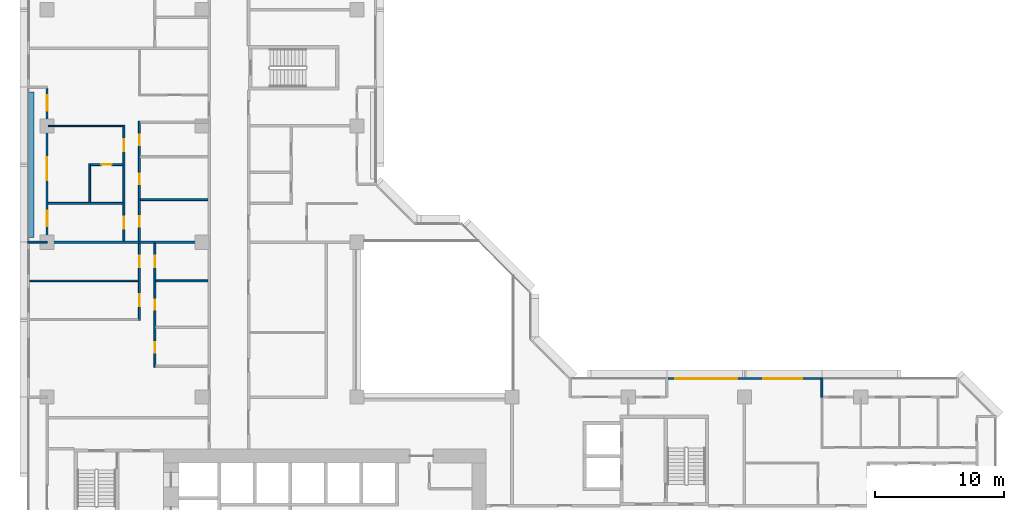
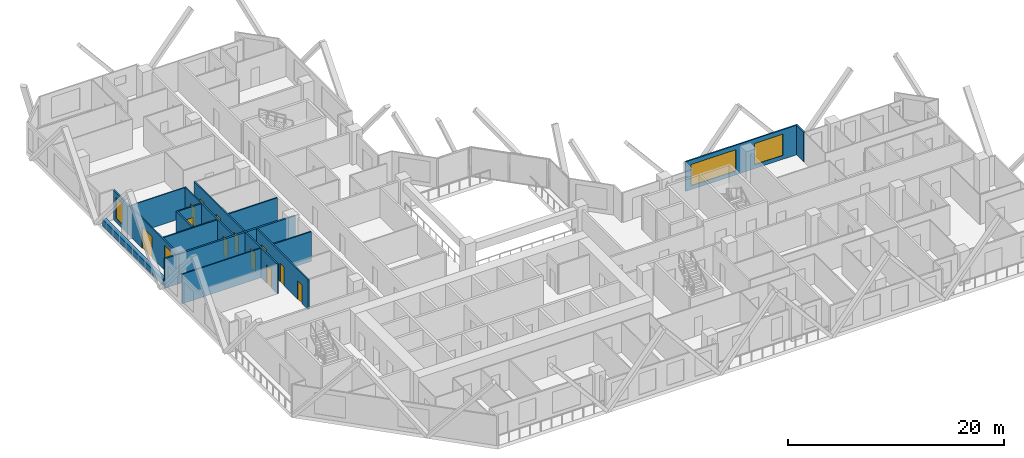
# One storey, part 8 of 15: 17 walls, 12 doors, 4 windows, 16 openings.
"""IFC4 building model written with IfcOpenShell, lengths in metres."""

from ifc_helpers import new_model, si_unit, direction, frame, frame_2d, origin, place, context, subcontext, project, spatial, rectangle, extrude, material, layer, layer_set, type_object, element, fill, save


model = new_model("IFC4")

# Units and contexts
model_context = context("Model", 3, precision=1e-05, world=origin(), true_north=direction((0.0, 1.0)))
body_context = subcontext(model_context, "Body", "Model", "MODEL_VIEW")
ifc_project = project(units=[si_unit("LENGTHUNIT", "METRE"), si_unit("AREAUNIT", "SQUARE_METRE"), si_unit("VOLUMEUNIT", "CUBIC_METRE"), si_unit("PLANEANGLEUNIT", "RADIAN"), si_unit("MASSUNIT", "GRAM", prefix="KILO")], contexts=[model_context])

# Site, building, storey
site_placement = place(None, origin())
site = spatial("IfcSite", under=ifc_project, at=site_placement, CompositionType="ELEMENT")
building_placement = place(site_placement, origin())
building = spatial("IfcBuilding", under=site, at=building_placement, Name="Chenar Terraces", CompositionType="ELEMENT")
storey_placement = place(building_placement, frame((0.0, 0.0, 41.39990234375)))
storey = spatial("IfcBuildingStorey", under=building, at=storey_placement, Name="L07", CompositionType="ELEMENT", Elevation=41.39990234375)

# Wall, openings, windows
ifc_material_1 = material(Name="Aluminium framed glazing", Category="aluminium")
ifc_layer_1 = layer(ifc_material_1, 0.14990234375)
ifc_layer_set_1 = layer_set([ifc_layer_1], Name="Aluminium framed glazing")
wall_type_1 = type_object("IfcWallType", Name="Glazed flush facade wall 150", PredefinedType="SOLIDWALL", material=ifc_layer_set_1)
wall_1_placement = place(storey_placement, frame((59.925048828125, 25.425048828125, 0.0), z_axis=(0.0, 0.0, 1.0), x_axis=(-1.0, 0.0, 0.0)))
wall_1 = element("IfcWall", 1, at=wall_1_placement, inside=storey, type_object=wall_type_1, Name="Glazed flush facade wall", PredefinedType="SOLIDWALL", context=body_context, shape_type="SweptSolid", body=[
    extrude(rectangle(XDim=11.85009765625, YDim=0.14990234375, at=frame_2d((5.925048828125, 0.0))), origin(), (0.0, 0.0, 1.0), 3.35009765625),
])
opening_1_placement = place(wall_1_placement, frame((1.46240234375, 0.0, 0.449951171875)))
opening_1 = element("IfcOpeningElement", 2, at=opening_1_placement, cuts=wall_1, Name="Opening W300x240", PredefinedType="OPENING", context=body_context, shape_type="SweptSolid", body=[
    extrude(rectangle(XDim=3.0, YDim=2.39990234375, at=frame_2d((1.5, 1.199951171875))), frame((0.0, 0.0849609375, 0.0), z_axis=(0.0, -1.0, 0.0), x_axis=(1.0, 0.0, 0.0)), (0.0, 0.0, 1.0), 0.169921875),
])
opening_2_placement = place(wall_1_placement, frame((6.487548828125, 0.0, 0.449951171875)))
opening_2 = element("IfcOpeningElement", 3, at=opening_2_placement, cuts=wall_1, Name="Opening W480x240", PredefinedType="OPENING", context=body_context, shape_type="SweptSolid", body=[
    extrude(rectangle(XDim=4.800048828125, YDim=2.39990234375, at=frame_2d((2.39990234375, 1.199951171875))), frame((0.0, 0.0849609375, 0.0), z_axis=(0.0, -1.0, 0.0), x_axis=(1.0, 0.0, 0.0)), (0.0, 0.0, 1.0), 0.169921875),
])
ifc_material_2 = material(Name="Low emissivity double glazing, aluminium frame", Category="aluminium")
window_type_1 = type_object("IfcWindowType", Name="Fixed light 3000 x 2400", PartitioningType="SINGLE_PANEL", PredefinedType="WINDOW", material=ifc_material_2)
window_1_placement = place(opening_1_placement, origin())
window_1 = element("IfcWindow", 4, at=window_1_placement, inside=storey, type_object=window_type_1, Name="Window", OverallHeight=2.39990234375, OverallWidth=3.0, PartitioningType="SINGLE_PANEL", PredefinedType="WINDOW", context=body_context, shape_type="SweptSolid", body=[
    extrude(rectangle(XDim=3.0, YDim=2.39990234375, at=frame_2d((1.5, 1.199951171875))), frame((0.0, 0.030029296875, 0.0), z_axis=(0.0, -1.0, 0.0), x_axis=(1.0, 0.0, 0.0)), (0.0, 0.0, 1.0), 0.06005859375),
])
fill(opening_1, window_1)
ifc_material_3 = material(Name="Low emissivity double glazing, aluminium frame", Category="aluminium")
window_type_2 = type_object("IfcWindowType", Name="Fixed light 4800 x 2400", PartitioningType="SINGLE_PANEL", PredefinedType="WINDOW", material=ifc_material_3)
window_2_placement = place(opening_2_placement, origin())
window_2 = element("IfcWindow", 5, at=window_2_placement, inside=storey, type_object=window_type_2, Name="Window", OverallHeight=2.39990234375, OverallWidth=4.800048828125, PartitioningType="SINGLE_PANEL", PredefinedType="WINDOW", context=body_context, shape_type="SweptSolid", body=[
    extrude(rectangle(XDim=4.800048828125, YDim=2.39990234375, at=frame_2d((2.39990234375, 1.199951171875))), frame((0.0, 0.030029296875, 0.0), z_axis=(0.0, -1.0, 0.0), x_axis=(1.0, 0.0, 0.0)), (0.0, 0.0, 1.0), 0.06005859375),
])
fill(opening_2, window_2)

# Wall, openings, windows, door
ifc_material_4 = material(Name="Aluminium framed glazing", Category="aluminium")
ifc_layer_2 = layer(ifc_material_4, 0.14990234375)
ifc_layer_set_2 = layer_set([ifc_layer_2], Name="Aluminium framed glazing")
wall_type_2 = type_object("IfcWallType", Name="Glazed loggia back wall 150", PredefinedType="SOLIDWALL", material=ifc_layer_set_2)
wall_2_placement = place(storey_placement, frame((0.0, 47.925048828125, 0.0), z_axis=(0.0, 0.0, 1.0), x_axis=(0.0, -1.0, 0.0)))
wall_2 = element("IfcWall", 6, at=wall_2_placement, inside=storey, type_object=wall_type_2, Name="Glazed loggia back wall", PredefinedType="SOLIDWALL", context=body_context, shape_type="SweptSolid", body=[
    extrude(rectangle(XDim=11.85009765625, YDim=0.14990234375, at=frame_2d((5.925048828125, 0.0))), origin(), (0.0, 0.0, 1.0), 3.35009765625),
])
opening_3_placement = place(wall_2_placement, frame((0.53759765625, 0.0, 0.449951171875)))
opening_3 = element("IfcOpeningElement", 7, at=opening_3_placement, cuts=wall_2, Name="Opening W120x240", PredefinedType="OPENING", context=body_context, shape_type="SweptSolid", body=[
    extrude(rectangle(XDim=1.199951171875, YDim=2.39990234375, at=frame_2d((0.60009765625, 1.199951171875))), frame((0.0, 0.0849609375, 0.0), z_axis=(0.0, -1.0, 0.0), x_axis=(1.0, 0.0, 0.0)), (0.0, 0.0, 1.0), 0.169921875),
])
opening_4_placement = place(wall_2_placement, frame((5.35009765625, 0.0, 0.0)))
opening_4 = element("IfcOpeningElement", 8, at=opening_4_placement, cuts=wall_2, Name="Opening DL07-G4", PredefinedType="OPENING", context=body_context, shape_type="SweptSolid", body=[
    extrude(rectangle(XDim=1.800048828125, YDim=2.39990234375, at=frame_2d((0.89990234375, 1.199951171875))), frame((0.0, 0.0849609375, 0.0), z_axis=(0.0, -1.0, 0.0), x_axis=(1.0, 0.0, 0.0)), (0.0, 0.0, 1.0), 0.169921875),
])
opening_5_placement = place(wall_2_placement, frame((9.5, 0.0, 0.449951171875)))
opening_5 = element("IfcOpeningElement", 9, at=opening_5_placement, cuts=wall_2, Name="Opening W120x240", PredefinedType="OPENING", context=body_context, shape_type="SweptSolid", body=[
    extrude(rectangle(XDim=1.199951171875, YDim=2.39990234375, at=frame_2d((0.60009765625, 1.199951171875))), frame((0.0, 0.0849609375, 0.0), z_axis=(0.0, -1.0, 0.0), x_axis=(1.0, 0.0, 0.0)), (0.0, 0.0, 1.0), 0.169921875),
])
ifc_material_5 = material(Name="Low emissivity double glazing, aluminium frame", Category="aluminium")
window_type_3 = type_object("IfcWindowType", Name="Fixed light 1200 x 2400", PartitioningType="SINGLE_PANEL", PredefinedType="WINDOW", material=ifc_material_5)
window_3_placement = place(opening_3_placement, origin())
window_3 = element("IfcWindow", 10, at=window_3_placement, inside=storey, type_object=window_type_3, Name="Window", OverallHeight=2.39990234375, OverallWidth=1.199951171875, PartitioningType="SINGLE_PANEL", PredefinedType="WINDOW", context=body_context, shape_type="SweptSolid", body=[
    extrude(rectangle(XDim=1.199951171875, YDim=2.39990234375, at=frame_2d((0.60009765625, 1.199951171875))), frame((0.0, 0.030029296875, 0.0), z_axis=(0.0, -1.0, 0.0), x_axis=(1.0, 0.0, 0.0)), (0.0, 0.0, 1.0), 0.06005859375),
])
fill(opening_3, window_3)
window_4_placement = place(opening_5_placement, origin())
window_4 = element("IfcWindow", 11, at=window_4_placement, inside=storey, type_object=window_type_3, Name="Window", OverallHeight=2.39990234375, OverallWidth=1.199951171875, PartitioningType="SINGLE_PANEL", PredefinedType="WINDOW", context=body_context, shape_type="SweptSolid", body=[
    extrude(rectangle(XDim=1.199951171875, YDim=2.39990234375, at=frame_2d((0.60009765625, 1.199951171875))), frame((0.0, 0.030029296875, 0.0), z_axis=(0.0, -1.0, 0.0), x_axis=(1.0, 0.0, 0.0)), (0.0, 0.0, 1.0), 0.06005859375),
])
fill(opening_5, window_4)
ifc_material_6 = material(Name="Low emissivity double glazing, aluminium frame", Category="aluminium")
door_type_1 = type_object("IfcDoorType", Name="Loggia glazed double door 1800 x 2400", OperationType="DOUBLE_DOOR_SINGLE_SWING", PredefinedType="DOOR", material=ifc_material_6)
door_1_placement = place(opening_4_placement, frame((1.800048828125, 0.0, 0.0), z_axis=(0.0, 0.0, 1.0), x_axis=(-1.0, 0.0, 0.0)))
door_1 = element("IfcDoor", 12, at=door_1_placement, inside=storey, type_object=door_type_1, Name="Loggia glazed door", OperationType="DOUBLE_DOOR_SINGLE_SWING", OverallHeight=2.39990234375, OverallWidth=1.800048828125, PredefinedType="DOOR", context=body_context, shape_type="SweptSolid", body=[
    extrude(rectangle(XDim=1.800048828125, YDim=2.39990234375, at=frame_2d((0.89990234375, 1.199951171875))), frame((0.0, 0.02490234375, 0.0), z_axis=(0.0, -1.0, 0.0), x_axis=(1.0, 0.0, 0.0)), (0.0, 0.0, 1.0), 0.050048828125),
])
fill(opening_4, door_1)

# Walls
ifc_material_7 = material(Name="Gypsum board on steel studs", Category="steel")
ifc_layer_3 = layer(ifc_material_7, 0.10009765625)
ifc_layer_set_3 = layer_set([ifc_layer_3], Name="Gypsum board on steel studs")
wall_type_3 = type_object("IfcWallType", Name="Gypsum partition 100", PredefinedType="PARTITIONING", material=ifc_layer_set_3)
wall_3_placement = place(storey_placement, frame((-1.35107421875, 33.0, 0.0), z_axis=(0.0, 0.0, 1.0), x_axis=(1.0, 0.0, 0.0)))
element("IfcWall", 13, at=wall_3_placement, inside=storey, type_object=wall_type_3, Name="Partition L07-001", PredefinedType="PARTITIONING", context=body_context, shape_type="SweptSolid", body=[
    extrude(rectangle(XDim=8.426025390625, YDim=0.10009765625, at=frame_2d((4.212890625, 0.0))), origin(), (0.0, 0.0, 1.0), 3.35009765625),
])
wall_4_placement = place(storey_placement, frame((0.073974609375, 45.0, 0.0), z_axis=(0.0, 0.0, 1.0), x_axis=(1.0, 0.0, 0.0)))
element("IfcWall", 14, at=wall_4_placement, inside=storey, type_object=wall_type_3, Name="Partition L07-010", PredefinedType="PARTITIONING", context=body_context, shape_type="SweptSolid", body=[
    extrude(rectangle(XDim=5.801025390625, YDim=0.10009765625, at=frame_2d((2.900390625, 0.0))), origin(), (0.0, 0.0, 1.0), 3.35009765625),
])
ifc_material_8 = material(Name="Terracotta cladding on insulated backing", Category="masonry")
ifc_layer_4 = layer(ifc_material_8, 0.14990234375)
ifc_layer_set_4 = layer_set([ifc_layer_4], Name="Terracotta cladding on insulated backing")
wall_type_4 = type_object("IfcWallType", Name="Loggia return wall 150", PredefinedType="SOLIDWALL", material=ifc_layer_set_4)
for number, where, z_axis, x_axis, name in (
    (15, (60.0, 25.5, 0.0), (0.0, 0.0, 1.0), (0.0, -1.0, 0.0), "Loggia return wall"),
    (16, (-1.5, 36.0, 0.0), (0.0, 0.0, 1.0), (1.0, 0.0, 0.0), "Loggia return wall"),
):
    element("IfcWall", number, at=place(storey_placement, frame(where, z_axis=z_axis, x_axis=x_axis)), inside=storey, type_object=wall_type_4, Name=name, PredefinedType="SOLIDWALL", context=body_context, shape_type="SweptSolid", body=[
        extrude(rectangle(XDim=1.5, YDim=0.14990234375, at=frame_2d((0.75, 0.0))), origin(), (0.0, 0.0, 1.0), 3.35009765625),
    ])
ifc_material_9 = material(Name="Twin gypsum board on steel studs with mineral wool", Category="steel")
ifc_layer_5 = layer(ifc_material_9, 0.199951171875)
ifc_layer_set_5 = layer_set([ifc_layer_5], Name="Twin gypsum board on steel studs with mineral wool")
wall_type_5 = type_object("IfcWallType", Name="Unit demising wall 200", PredefinedType="PARTITIONING", material=ifc_layer_set_5)
wall_5_placement = place(storey_placement, frame((0.0, 36.0, 0.0), z_axis=(0.0, 0.0, 1.0), x_axis=(1.0, 0.0, 0.0)))
element("IfcWall", 17, at=wall_5_placement, inside=storey, type_object=wall_type_5, Name="Partition L07-004", PredefinedType="PARTITIONING", context=body_context, shape_type="SweptSolid", body=[
    extrude(rectangle(XDim=12.449951171875, YDim=0.199951171875, at=frame_2d((6.22509765625, 0.0))), origin(), (0.0, 0.0, 1.0), 3.35009765625),
])
ifc_material_10 = material(Name="GRP planter trough")
ifc_layer_6 = layer(ifc_material_10, 0.39990234375)
ifc_layer_set_6 = layer_set([ifc_layer_6], Name="GRP planter trough")
wall_type_6 = type_object("IfcWallType", Name="Vertical greenery planter 400", PredefinedType="SOLIDWALL", material=ifc_layer_set_6)
wall_6_placement = place(storey_placement, frame((-1.22900390625, 47.625, 0.0), z_axis=(0.0, 0.0, 1.0), x_axis=(0.0, -1.0, 0.0)))
element("IfcWall", 18, at=wall_6_placement, inside=storey, type_object=wall_type_6, Name="Vertical greenery planter", PredefinedType="SOLIDWALL", context=body_context, shape_type="SweptSolid", body=[
    extrude(rectangle(XDim=11.25, YDim=0.39990234375, at=frame_2d((5.625, 0.0))), origin(), (0.0, 0.0, 1.0), 0.7001953125),
])
ifc_material_11 = material(Name="Moisture-resistant gypsum board on steel studs", Category="steel")
ifc_layer_7 = layer(ifc_material_11, 0.14990234375)
ifc_layer_set_7 = layer_set([ifc_layer_7], Name="Moisture-resistant gypsum board on steel studs")
wall_type_7 = type_object("IfcWallType", Name="Wet-room partition 150", PredefinedType="PARTITIONING", material=ifc_layer_set_7)
wall_7_placement = place(storey_placement, frame((0.073974609375, 39.0, 0.0), z_axis=(0.0, 0.0, 1.0), x_axis=(1.0, 0.0, 0.0)))
element("IfcWall", 19, at=wall_7_placement, inside=storey, type_object=wall_type_7, Name="Partition L07-009", PredefinedType="PARTITIONING", context=body_context, shape_type="SweptSolid", body=[
    extrude(rectangle(XDim=5.801025390625, YDim=0.14990234375, at=frame_2d((2.900390625, 0.0))), origin(), (0.0, 0.0, 1.0), 3.35009765625),
])
wall_8_placement = place(storey_placement, frame((3.300048828125, 39.074951171875, 0.0), z_axis=(0.0, 0.0, 1.0), x_axis=(0.0, 1.0, 0.0)))
element("IfcWall", 20, at=wall_8_placement, inside=storey, type_object=wall_type_7, Name="Partition L07-012", PredefinedType="PARTITIONING", context=body_context, shape_type="SweptSolid", body=[
    extrude(rectangle(XDim=3.0, YDim=0.14990234375, at=frame_2d((1.5, 0.0))), origin(), (0.0, 0.0, 1.0), 3.35009765625),
])

# Wall, opening, door
wall_9_placement = place(storey_placement, frame((3.375, 42.0, 0.0), z_axis=(0.0, 0.0, 1.0), x_axis=(1.0, 0.0, 0.0)))
wall_9 = element("IfcWall", 21, at=wall_9_placement, inside=storey, type_object=wall_type_7, Name="Partition L07-013", PredefinedType="PARTITIONING", context=body_context, shape_type="SweptSolid", body=[
    extrude(rectangle(XDim=2.5, YDim=0.14990234375, at=frame_2d((1.25, 0.0))), origin(), (0.0, 0.0, 1.0), 3.35009765625),
])
opening_6_placement = place(wall_9_placement, frame((0.824951171875, 0.0, 0.0)))
opening_6 = element("IfcOpeningElement", 22, at=opening_6_placement, cuts=wall_9, Name="Opening DL07-36", PredefinedType="OPENING", context=body_context, shape_type="SweptSolid", body=[
    extrude(rectangle(XDim=0.800048828125, YDim=2.10009765625, at=frame_2d((0.39990234375, 1.050048828125))), frame((0.0, 0.0849609375, 0.0), z_axis=(0.0, -1.0, 0.0), x_axis=(1.0, 0.0, 0.0)), (0.0, 0.0, 1.0), 0.169921875),
])
ifc_material_12 = material(Name="Veneered timber door leaf", Category="wood")
door_type_2 = type_object("IfcDoorType", Name="Door 800 x 2100", OperationType="SINGLE_SWING_LEFT", PredefinedType="DOOR", material=ifc_material_12)
door_2_placement = place(opening_6_placement, frame((0.800048828125, 0.0, 0.0), z_axis=(0.0, 0.0, 1.0), x_axis=(-1.0, 0.0, 0.0)))
door_2 = element("IfcDoor", 23, at=door_2_placement, inside=storey, type_object=door_type_2, Name="Door DL07-36", OperationType="SINGLE_SWING_LEFT", OverallHeight=2.10009765625, OverallWidth=0.800048828125, PredefinedType="DOOR", context=body_context, shape_type="SweptSolid", body=[
    extrude(rectangle(XDim=0.800048828125, YDim=2.10009765625, at=frame_2d((0.39990234375, 1.050048828125))), frame((0.0, 0.02490234375, 0.0), z_axis=(0.0, -1.0, 0.0), x_axis=(1.0, 0.0, 0.0)), (0.0, 0.0, 1.0), 0.050048828125),
])
fill(opening_6, door_2)

# Wall, openings, doors
wall_10_placement = place(storey_placement, frame((5.949951171875, 36.10009765625, 0.0), z_axis=(0.0, 0.0, 1.0), x_axis=(0.0, 1.0, 0.0)))
wall_10 = element("IfcWall", 24, at=wall_10_placement, inside=storey, type_object=wall_type_7, Name="Partition L07-014", PredefinedType="PARTITIONING", context=body_context, shape_type="SweptSolid", body=[
    extrude(rectangle(XDim=8.949951171875, YDim=0.14990234375, at=frame_2d((4.47509765625, 0.0))), origin(), (0.0, 0.0, 1.0), 3.35009765625),
])
opening_7_placement = place(wall_10_placement, frame((0.949951171875, 0.0, 0.0)))
opening_7 = element("IfcOpeningElement", 25, at=opening_7_placement, cuts=wall_10, Name="Opening DL07-34", PredefinedType="OPENING", context=body_context, shape_type="SweptSolid", body=[
    extrude(rectangle(XDim=0.89990234375, YDim=2.10009765625, at=frame_2d((0.449951171875, 1.050048828125))), frame((0.0, 0.0849609375, 0.0), z_axis=(0.0, -1.0, 0.0), x_axis=(1.0, 0.0, 0.0)), (0.0, 0.0, 1.0), 0.169921875),
])
opening_8_placement = place(wall_10_placement, frame((6.949951171875, 0.0, 0.0)))
opening_8 = element("IfcOpeningElement", 26, at=opening_8_placement, cuts=wall_10, Name="Opening DL07-35", PredefinedType="OPENING", context=body_context, shape_type="SweptSolid", body=[
    extrude(rectangle(XDim=0.89990234375, YDim=2.10009765625, at=frame_2d((0.449951171875, 1.050048828125))), frame((0.0, 0.0849609375, 0.0), z_axis=(0.0, -1.0, 0.0), x_axis=(1.0, 0.0, 0.0)), (0.0, 0.0, 1.0), 0.169921875),
])
ifc_material_13 = material(Name="Veneered timber door leaf", Category="wood")
door_type_3 = type_object("IfcDoorType", Name="Door 900 x 2100", OperationType="SINGLE_SWING_LEFT", PredefinedType="DOOR", material=ifc_material_13)
door_3_placement = place(opening_7_placement, origin())
door_3 = element("IfcDoor", 27, at=door_3_placement, inside=storey, type_object=door_type_3, Name="Door DL07-34", OperationType="SINGLE_SWING_RIGHT", OverallHeight=2.10009765625, OverallWidth=0.89990234375, PredefinedType="DOOR", context=body_context, shape_type="SweptSolid", body=[
    extrude(rectangle(XDim=0.89990234375, YDim=2.10009765625, at=frame_2d((0.449951171875, 1.050048828125))), frame((0.0, 0.02490234375, 0.0), z_axis=(0.0, -1.0, 0.0), x_axis=(1.0, 0.0, 0.0)), (0.0, 0.0, 1.0), 0.050048828125),
])
fill(opening_7, door_3)
door_4_placement = place(opening_8_placement, origin())
door_4 = element("IfcDoor", 28, at=door_4_placement, inside=storey, type_object=door_type_3, Name="Door DL07-35", OperationType="SINGLE_SWING_RIGHT", OverallHeight=2.10009765625, OverallWidth=0.89990234375, PredefinedType="DOOR", context=body_context, shape_type="SweptSolid", body=[
    extrude(rectangle(XDim=0.89990234375, YDim=2.10009765625, at=frame_2d((0.449951171875, 1.050048828125))), frame((0.0, 0.02490234375, 0.0), z_axis=(0.0, -1.0, 0.0), x_axis=(1.0, 0.0, 0.0)), (0.0, 0.0, 1.0), 0.050048828125),
])
fill(opening_8, door_4)

wall_11_placement = place(storey_placement, frame((7.14990234375, 29.949951171875, 0.0), z_axis=(0.0, 0.0, 1.0), x_axis=(0.0, 1.0, 0.0)))
wall_11 = element("IfcWall", 29, at=wall_11_placement, inside=storey, type_object=wall_type_7, Name="Partition L07-016", PredefinedType="PARTITIONING", context=body_context, shape_type="SweptSolid", body=[
    extrude(rectangle(XDim=5.949951171875, YDim=0.14990234375, at=frame_2d((2.97509765625, 0.0))), origin(), (0.0, 0.0, 1.0), 3.35009765625),
])
opening_9_placement = place(wall_11_placement, frame((1.10009765625, 0.0, 0.0)))
opening_9 = element("IfcOpeningElement", 30, at=opening_9_placement, cuts=wall_11, Name="Opening DL07-66", PredefinedType="OPENING", context=body_context, shape_type="SweptSolid", body=[
    extrude(rectangle(XDim=0.89990234375, YDim=2.10009765625, at=frame_2d((0.449951171875, 1.050048828125))), frame((0.0, 0.0849609375, 0.0), z_axis=(0.0, -1.0, 0.0), x_axis=(1.0, 0.0, 0.0)), (0.0, 0.0, 1.0), 0.169921875),
])
opening_10_placement = place(wall_11_placement, frame((4.10009765625, 0.0, 0.0)))
opening_10 = element("IfcOpeningElement", 31, at=opening_10_placement, cuts=wall_11, Name="Opening DL07-67", PredefinedType="OPENING", context=body_context, shape_type="SweptSolid", body=[
    extrude(rectangle(XDim=0.89990234375, YDim=2.10009765625, at=frame_2d((0.449951171875, 1.050048828125))), frame((0.0, 0.0849609375, 0.0), z_axis=(0.0, -1.0, 0.0), x_axis=(1.0, 0.0, 0.0)), (0.0, 0.0, 1.0), 0.169921875),
])
door_5_placement = place(opening_9_placement, origin())
door_5 = element("IfcDoor", 32, at=door_5_placement, inside=storey, type_object=door_type_3, Name="Door DL07-66", OperationType="SINGLE_SWING_LEFT", OverallHeight=2.10009765625, OverallWidth=0.89990234375, PredefinedType="DOOR", context=body_context, shape_type="SweptSolid", body=[
    extrude(rectangle(XDim=0.89990234375, YDim=2.10009765625, at=frame_2d((0.449951171875, 1.050048828125))), frame((0.0, 0.02490234375, 0.0), z_axis=(0.0, -1.0, 0.0), x_axis=(1.0, 0.0, 0.0)), (0.0, 0.0, 1.0), 0.050048828125),
])
fill(opening_9, door_5)
door_6_placement = place(opening_10_placement, origin())
door_6 = element("IfcDoor", 33, at=door_6_placement, inside=storey, type_object=door_type_3, Name="Door DL07-67", OperationType="SINGLE_SWING_RIGHT", OverallHeight=2.10009765625, OverallWidth=0.89990234375, PredefinedType="DOOR", context=body_context, shape_type="SweptSolid", body=[
    extrude(rectangle(XDim=0.89990234375, YDim=2.10009765625, at=frame_2d((0.449951171875, 1.050048828125))), frame((0.0, 0.02490234375, 0.0), z_axis=(0.0, -1.0, 0.0), x_axis=(1.0, 0.0, 0.0)), (0.0, 0.0, 1.0), 0.050048828125),
])
fill(opening_10, door_6)

wall_12_placement = place(storey_placement, frame((7.14990234375, 36.10009765625, 0.0), z_axis=(0.0, 0.0, 1.0), x_axis=(0.0, 1.0, 0.0)))
wall_12 = element("IfcWall", 34, at=wall_12_placement, inside=storey, type_object=wall_type_7, Name="Partition L07-017", PredefinedType="PARTITIONING", context=body_context, shape_type="SweptSolid", body=[
    extrude(rectangle(XDim=9.27490234375, YDim=0.14990234375, at=frame_2d((4.637451171875, 0.0))), origin(), (0.0, 0.0, 1.0), 3.35009765625),
])
opening_11_placement = place(wall_12_placement, frame((7.39990234375, 0.0, 0.0)))
opening_11 = element("IfcOpeningElement", 35, at=opening_11_placement, cuts=wall_12, Name="Opening DL07-33", PredefinedType="OPENING", context=body_context, shape_type="SweptSolid", body=[
    extrude(rectangle(XDim=0.800048828125, YDim=2.10009765625, at=frame_2d((0.39990234375, 1.050048828125))), frame((0.0, 0.0849609375, 0.0), z_axis=(0.0, -1.0, 0.0), x_axis=(1.0, 0.0, 0.0)), (0.0, 0.0, 1.0), 0.169921875),
])
opening_12_placement = place(wall_12_placement, frame((1.10009765625, 0.0, 0.0)))
opening_12 = element("IfcOpeningElement", 36, at=opening_12_placement, cuts=wall_12, Name="Opening DL07-38", PredefinedType="OPENING", context=body_context, shape_type="SweptSolid", body=[
    extrude(rectangle(XDim=0.800048828125, YDim=2.10009765625, at=frame_2d((0.39990234375, 1.050048828125))), frame((0.0, 0.0849609375, 0.0), z_axis=(0.0, -1.0, 0.0), x_axis=(1.0, 0.0, 0.0)), (0.0, 0.0, 1.0), 0.169921875),
])
opening_13_placement = place(wall_12_placement, frame((4.39990234375, 0.0, 0.0)))
opening_13 = element("IfcOpeningElement", 37, at=opening_13_placement, cuts=wall_12, Name="Opening DL07-39", PredefinedType="OPENING", context=body_context, shape_type="SweptSolid", body=[
    extrude(rectangle(XDim=0.800048828125, YDim=2.10009765625, at=frame_2d((0.39990234375, 1.050048828125))), frame((0.0, 0.0849609375, 0.0), z_axis=(0.0, -1.0, 0.0), x_axis=(1.0, 0.0, 0.0)), (0.0, 0.0, 1.0), 0.169921875),
])
door_7_placement = place(opening_11_placement, frame((0.800048828125, 0.0, 0.0), z_axis=(0.0, 0.0, 1.0), x_axis=(-1.0, 0.0, 0.0)))
door_7 = element("IfcDoor", 38, at=door_7_placement, inside=storey, type_object=door_type_2, Name="Door DL07-33", OperationType="SINGLE_SWING_RIGHT", OverallHeight=2.10009765625, OverallWidth=0.800048828125, PredefinedType="DOOR", context=body_context, shape_type="SweptSolid", body=[
    extrude(rectangle(XDim=0.800048828125, YDim=2.10009765625, at=frame_2d((0.39990234375, 1.050048828125))), frame((0.0, 0.02490234375, 0.0), z_axis=(0.0, -1.0, 0.0), x_axis=(1.0, 0.0, 0.0)), (0.0, 0.0, 1.0), 0.050048828125),
])
fill(opening_11, door_7)
door_8_placement = place(opening_12_placement, frame((0.800048828125, 0.0, 0.0), z_axis=(0.0, 0.0, 1.0), x_axis=(-1.0, 0.0, 0.0)))
door_8 = element("IfcDoor", 39, at=door_8_placement, inside=storey, type_object=door_type_2, Name="Door DL07-38", OperationType="SINGLE_SWING_RIGHT", OverallHeight=2.10009765625, OverallWidth=0.800048828125, PredefinedType="DOOR", context=body_context, shape_type="SweptSolid", body=[
    extrude(rectangle(XDim=0.800048828125, YDim=2.10009765625, at=frame_2d((0.39990234375, 1.050048828125))), frame((0.0, 0.02490234375, 0.0), z_axis=(0.0, -1.0, 0.0), x_axis=(1.0, 0.0, 0.0)), (0.0, 0.0, 1.0), 0.050048828125),
])
fill(opening_12, door_8)
door_9_placement = place(opening_13_placement, frame((0.800048828125, 0.0, 0.0), z_axis=(0.0, 0.0, 1.0), x_axis=(-1.0, 0.0, 0.0)))
door_9 = element("IfcDoor", 40, at=door_9_placement, inside=storey, type_object=door_type_2, Name="Door DL07-39", OperationType="SINGLE_SWING_RIGHT", OverallHeight=2.10009765625, OverallWidth=0.800048828125, PredefinedType="DOOR", context=body_context, shape_type="SweptSolid", body=[
    extrude(rectangle(XDim=0.800048828125, YDim=2.10009765625, at=frame_2d((0.39990234375, 1.050048828125))), frame((0.0, 0.02490234375, 0.0), z_axis=(0.0, -1.0, 0.0), x_axis=(1.0, 0.0, 0.0)), (0.0, 0.0, 1.0), 0.050048828125),
])
fill(opening_13, door_9)

# Wall
wall_13_placement = place(storey_placement, frame((7.22509765625, 39.300048828125, 0.0), z_axis=(0.0, 0.0, 1.0), x_axis=(1.0, 0.0, 0.0)))
element("IfcWall", 41, at=wall_13_placement, inside=storey, type_object=wall_type_7, Name="Partition L07-020", PredefinedType="PARTITIONING", context=body_context, shape_type="SweptSolid", body=[
    extrude(rectangle(XDim=5.224853515625, YDim=0.14990234375, at=frame_2d((2.6123046875, 0.0))), origin(), (0.0, 0.0, 1.0), 3.35009765625),
])

# Wall, openings, doors
wall_14_placement = place(storey_placement, frame((8.35009765625, 26.324951171875, 0.0), z_axis=(0.0, 0.0, 1.0), x_axis=(0.0, 1.0, 0.0)))
wall_14 = element("IfcWall", 42, at=wall_14_placement, inside=storey, type_object=wall_type_7, Name="Partition L07-024", PredefinedType="PARTITIONING", context=body_context, shape_type="SweptSolid", body=[
    extrude(rectangle(XDim=9.574951171875, YDim=0.14990234375, at=frame_2d((4.78759765625, 0.0))), origin(), (0.0, 0.0, 1.0), 3.35009765625),
])
opening_14_placement = place(wall_14_placement, frame((4.425048828125, 0.0, 0.0)))
opening_14 = element("IfcOpeningElement", 43, at=opening_14_placement, cuts=wall_14, Name="Opening DL07-65", PredefinedType="OPENING", context=body_context, shape_type="SweptSolid", body=[
    extrude(rectangle(XDim=0.800048828125, YDim=2.10009765625, at=frame_2d((0.39990234375, 1.050048828125))), frame((0.0, 0.0849609375, 0.0), z_axis=(0.0, -1.0, 0.0), x_axis=(1.0, 0.0, 0.0)), (0.0, 0.0, 1.0), 0.169921875),
])
opening_15_placement = place(wall_14_placement, frame((7.72509765625, 0.0, 0.0)))
opening_15 = element("IfcOpeningElement", 44, at=opening_15_placement, cuts=wall_14, Name="Opening DL07-68", PredefinedType="OPENING", context=body_context, shape_type="SweptSolid", body=[
    extrude(rectangle(XDim=0.89990234375, YDim=2.10009765625, at=frame_2d((0.449951171875, 1.050048828125))), frame((0.0, 0.0849609375, 0.0), z_axis=(0.0, -1.0, 0.0), x_axis=(1.0, 0.0, 0.0)), (0.0, 0.0, 1.0), 0.169921875),
])
opening_16_placement = place(wall_14_placement, frame((1.125, 0.0, 0.0)))
opening_16 = element("IfcOpeningElement", 45, at=opening_16_placement, cuts=wall_14, Name="Opening DL07-70", PredefinedType="OPENING", context=body_context, shape_type="SweptSolid", body=[
    extrude(rectangle(XDim=0.800048828125, YDim=2.10009765625, at=frame_2d((0.39990234375, 1.050048828125))), frame((0.0, 0.0849609375, 0.0), z_axis=(0.0, -1.0, 0.0), x_axis=(1.0, 0.0, 0.0)), (0.0, 0.0, 1.0), 0.169921875),
])
door_10_placement = place(opening_14_placement, frame((0.800048828125, 0.0, 0.0), z_axis=(0.0, 0.0, 1.0), x_axis=(-1.0, 0.0, 0.0)))
door_10 = element("IfcDoor", 46, at=door_10_placement, inside=storey, type_object=door_type_2, Name="Door DL07-65", OperationType="SINGLE_SWING_RIGHT", OverallHeight=2.10009765625, OverallWidth=0.800048828125, PredefinedType="DOOR", context=body_context, shape_type="SweptSolid", body=[
    extrude(rectangle(XDim=0.800048828125, YDim=2.10009765625, at=frame_2d((0.39990234375, 1.050048828125))), frame((0.0, 0.02490234375, 0.0), z_axis=(0.0, -1.0, 0.0), x_axis=(1.0, 0.0, 0.0)), (0.0, 0.0, 1.0), 0.050048828125),
])
fill(opening_14, door_10)
door_11_placement = place(opening_16_placement, frame((0.800048828125, 0.0, 0.0), z_axis=(0.0, 0.0, 1.0), x_axis=(-1.0, 0.0, 0.0)))
door_11 = element("IfcDoor", 47, at=door_11_placement, inside=storey, type_object=door_type_2, Name="Door DL07-70", OperationType="SINGLE_SWING_RIGHT", OverallHeight=2.10009765625, OverallWidth=0.800048828125, PredefinedType="DOOR", context=body_context, shape_type="SweptSolid", body=[
    extrude(rectangle(XDim=0.800048828125, YDim=2.10009765625, at=frame_2d((0.39990234375, 1.050048828125))), frame((0.0, 0.02490234375, 0.0), z_axis=(0.0, -1.0, 0.0), x_axis=(1.0, 0.0, 0.0)), (0.0, 0.0, 1.0), 0.050048828125),
])
fill(opening_16, door_11)
door_12_placement = place(opening_15_placement, frame((0.89990234375, 0.0, 0.0), z_axis=(0.0, 0.0, 1.0), x_axis=(-1.0, 0.0, 0.0)))
door_12 = element("IfcDoor", 48, at=door_12_placement, inside=storey, type_object=door_type_3, Name="Door DL07-68", OperationType="SINGLE_SWING_RIGHT", OverallHeight=2.10009765625, OverallWidth=0.89990234375, PredefinedType="DOOR", context=body_context, shape_type="SweptSolid", body=[
    extrude(rectangle(XDim=0.89990234375, YDim=2.10009765625, at=frame_2d((0.449951171875, 1.050048828125))), frame((0.0, 0.02490234375, 0.0), z_axis=(0.0, -1.0, 0.0), x_axis=(1.0, 0.0, 0.0)), (0.0, 0.0, 1.0), 0.050048828125),
])
fill(opening_15, door_12)

# Wall
wall_15_placement = place(storey_placement, frame((8.425048828125, 33.0, 0.0), z_axis=(0.0, 0.0, 1.0), x_axis=(1.0, 0.0, 0.0)))
element("IfcWall", 49, at=wall_15_placement, inside=storey, type_object=wall_type_7, Name="Partition L07-029", PredefinedType="PARTITIONING", context=body_context, shape_type="SweptSolid", body=[
    extrude(rectangle(XDim=4.02490234375, YDim=0.14990234375, at=frame_2d((2.012451171875, 0.0))), origin(), (0.0, 0.0, 1.0), 3.35009765625),
])

save(model, "model.ifc")
